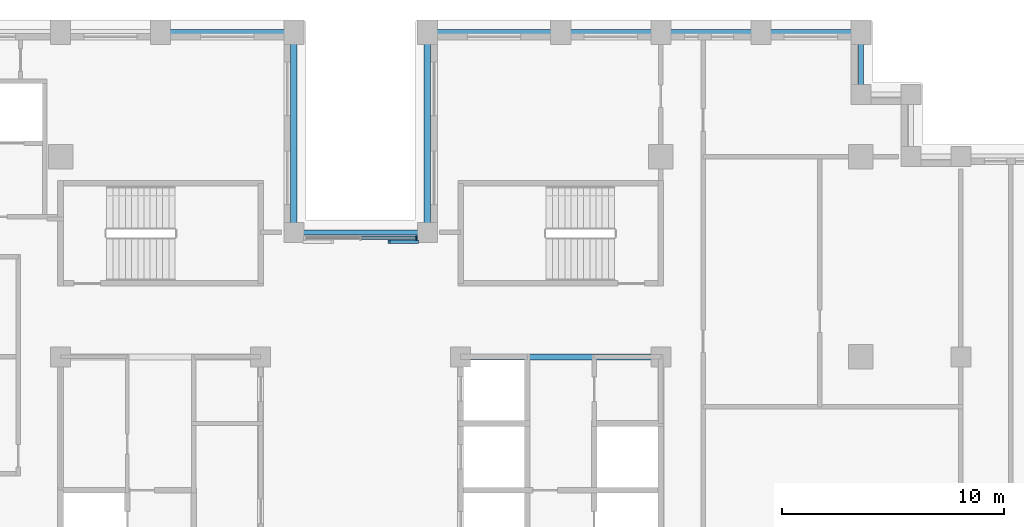
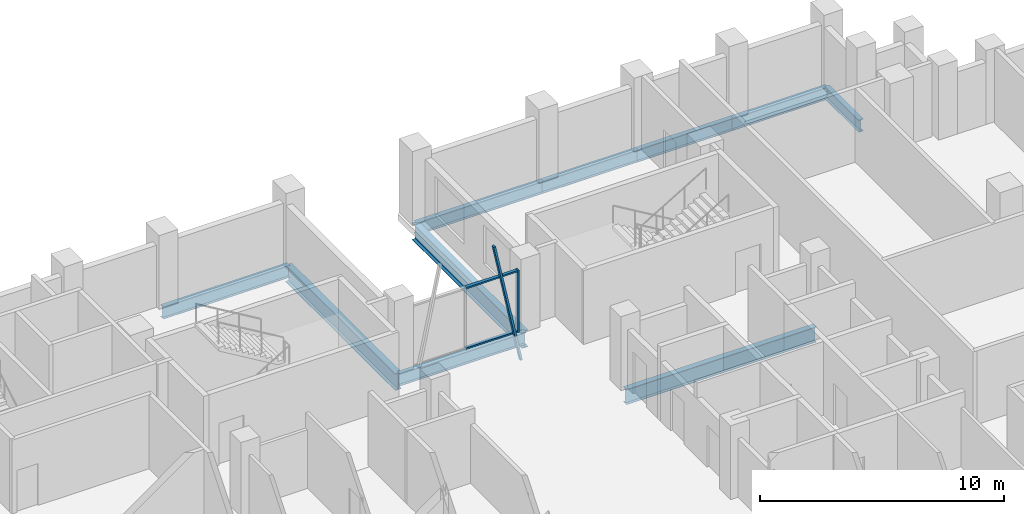
# One storey, part 4 of 16: 10 beams, 4 members, 1 element without a shape of its own.
"""IFC4 building model written with IfcOpenShell, lengths in metres."""

from ifc_helpers import new_model, si_unit, direction, frame, origin, origin_2d, place, context, subcontext, project, spatial, rectangle, i_section, extrude, material, layer, layer_set, material_profile, profile_set, type_object, element, aggregate, save


model = new_model("IFC4")

# Units and contexts
model_context = context("Model", 3, precision=1e-05, world=origin(), true_north=direction((0.0, 1.0)))
body_context = subcontext(model_context, "Body", "Model", "MODEL_VIEW")
ifc_project = project(units=[si_unit("LENGTHUNIT", "METRE"), si_unit("AREAUNIT", "SQUARE_METRE"), si_unit("VOLUMEUNIT", "CUBIC_METRE"), si_unit("PLANEANGLEUNIT", "RADIAN"), si_unit("MASSUNIT", "GRAM", prefix="KILO")], contexts=[model_context])

# Site, building, storey
site_placement = place(None, origin())
site = spatial("IfcSite", under=ifc_project, at=site_placement, CompositionType="ELEMENT")
building_placement = place(site_placement, origin())
building = spatial("IfcBuilding", under=site, at=building_placement, Name="Corbelhall Arena Tower", CompositionType="ELEMENT")
storey_placement = place(building_placement, frame((0.0, 0.0, 170.0)))
storey = spatial("IfcBuildingStorey", under=building, at=storey_placement, Name="L34", CompositionType="ELEMENT", Elevation=170.0)

# Curtain wall, members
ifc_material_1 = material(Name="Aluminium black anodised", Category="aluminium")
ifc_layer = layer(ifc_material_1, 0.199951171875)
ifc_layer_set = layer_set([ifc_layer], Name="EV-CW1 Slot back wall")
curtain_wall_type = type_object("IfcCurtainWallType", Name="EV-CW1 Slot back wall", PredefinedType="NOTDEFINED", material=ifc_layer_set)
curtain_wall_placement = place(storey_placement, origin())
curtain_wall = element("IfcCurtainWall", 1, at=curtain_wall_placement, inside=storey, type_object=curtain_wall_type, Name="Curtain wall CW1", PredefinedType="NOTDEFINED")
ifc_material_profile_1 = material_profile(ifc_material_1, rectangle(XDim=0.199951171875, YDim=0.074951171875, at=origin_2d()))
ifc_profile_set_1 = profile_set([ifc_material_profile_1], Name="Aluminium black anodised")
member_type_1 = type_object("IfcMemberType", Name="EV-CW1-MULLION", PredefinedType="MULLION", material=ifc_profile_set_1)
member_1_placement = place(storey_placement, frame((2.512451171875, 14.35009765625, 0.0), z_axis=(0.0, 0.0, 1.0), x_axis=(0.0, -1.0, 0.0)))
member_1 = element("IfcMember", 2, at=member_1_placement, type_object=member_type_1, Name="CW1 mullion 1", PredefinedType="MULLION", context=body_context, shape_type="SweptSolid", body=[
    extrude(rectangle(XDim=0.199951171875, YDim=0.074951171875, at=origin_2d()), origin(), (0.0, 0.0, 1.0), 3.10009765625),
])
ifc_material_profile_2 = material_profile(ifc_material_1, rectangle(XDim=0.14990234375, YDim=0.074951171875, at=origin_2d()))
ifc_profile_set_2 = profile_set([ifc_material_profile_2], Name="Aluminium black anodised")
member_type_2 = type_object("IfcMemberType", Name="EV-CW1-TRANSOM", PredefinedType="USERDEFINED", material=ifc_profile_set_2)
member_2_placement = place(storey_placement, frame((2.47509765625, 14.35009765625, 0.03759765625), z_axis=(-1.0, 0.0, 0.0), x_axis=(0.0, -1.0, 0.0)))
member_2 = element("IfcMember", 3, at=member_2_placement, type_object=member_type_2, Name="CW1 transom 1.1", ObjectType="transom", PredefinedType="USERDEFINED", context=body_context, shape_type="SweptSolid", body=[
    extrude(rectangle(XDim=0.14990234375, YDim=0.074951171875, at=origin_2d()), origin(), (0.0, 0.0, 1.0), 2.4375),
])
member_3_placement = place(storey_placement, frame((2.47509765625, 14.35009765625, 3.0625), z_axis=(-1.0, 0.0, 0.0), x_axis=(0.0, -1.0, 0.0)))
member_3 = element("IfcMember", 4, at=member_3_placement, type_object=member_type_2, Name="CW1 transom 1.2", ObjectType="transom", PredefinedType="USERDEFINED", context=body_context, shape_type="SweptSolid", body=[
    extrude(rectangle(XDim=0.14990234375, YDim=0.074951171875, at=origin_2d()), origin(), (0.0, 0.0, 1.0), 2.4375),
])
aggregate(curtain_wall, [member_1, member_2, member_3])

# Member
ifc_material_profile_3 = material_profile(ifc_material_1, rectangle(XDim=0.159912109375, YDim=0.10009765625, at=origin_2d()))
ifc_profile_set_3 = profile_set([ifc_material_profile_3], Name="Aluminium black anodised")
member_type_3 = type_object("IfcMemberType", Name="EV-TR1 Tracery bar", PredefinedType="USERDEFINED", material=ifc_profile_set_3)
member_4_placement = place(storey_placement, frame((2.550048828125, 14.169921875, -1.307373046875), z_axis=(-0.204144671158, 0.0, 0.978940730197), x_axis=(0.0, -1.0, 0.0)))
element("IfcMember", 5, at=member_4_placement, inside=storey, type_object=member_type_3, Name="Tracery bar", ObjectType="TRACERY", PredefinedType="USERDEFINED", context=body_context, shape_type="SweptSolid", body=[
    extrude(rectangle(XDim=0.159912109375, YDim=0.10009765625, at=origin_2d()), origin(), (0.0, 0.0, 1.0), 6.246337890625),
])

# Beams
ifc_material_2 = material(Name="Steel ASTM A992 Gr50", Category="steel")
ifc_material_profile_4 = material_profile(ifc_material_2, i_section(OverallWidth=0.2666015625, OverallDepth=0.761962890625, WebThickness=0.014404296875, FlangeThickness=0.021484375, at=origin_2d()))
ifc_profile_set_4 = profile_set([ifc_material_profile_4], Name="Steel ASTM A992 Gr50")
beam_type_1 = type_object("IfcBeamType", Name="ST-BEAM-W30x116", PredefinedType="BEAM", material=ifc_profile_set_4)
beam_1_placement = place(storey_placement, frame((4.5, 9.0, -0.680908203125), z_axis=(1.0, 0.0, 0.0), x_axis=(0.0, 1.0, 0.0)))
element("IfcBeam", 6, at=beam_1_placement, inside=storey, type_object=beam_type_1, Name="Beam CEE 12", PredefinedType="BEAM", context=body_context, shape_type="SweptSolid", body=[
    extrude(i_section(OverallWidth=0.2666015625, OverallDepth=0.761962890625, WebThickness=0.014404296875, FlangeThickness=0.021484375, at=origin_2d()), origin(), (0.0, 0.0, 1.0), 9.0),
])
ifc_material_profile_5 = material_profile(ifc_material_2, i_section(OverallWidth=0.22900390625, OverallDepth=0.612060546875, WebThickness=0.011962890625, FlangeThickness=0.01953125, at=origin_2d()))
ifc_profile_set_5 = profile_set([ifc_material_profile_5], Name="Steel ASTM A992 Gr50")
beam_type_2 = type_object("IfcBeamType", Name="ST-SPANDREL-W24x84", PredefinedType="SPANDREL", material=ifc_profile_set_5)
beam_2_placement = place(storey_placement, frame((3.0, 23.60009765625, -0.60595703125), z_axis=(1.0, 0.0, 0.0), x_axis=(0.0, 1.0, 0.0)))
element("IfcBeam", 7, at=beam_2_placement, inside=storey, type_object=beam_type_2, Name="Beam SP 17", PredefinedType="SPANDREL", context=body_context, shape_type="SweptSolid", body=[
    extrude(i_section(OverallWidth=0.22900390625, OverallDepth=0.612060546875, WebThickness=0.011962890625, FlangeThickness=0.01953125, at=origin_2d()), origin(), (0.0, 0.0, 1.0), 6.0),
])
for number, where, z_axis, x_axis, name in (
    (8, (9.0, 23.60009765625, -0.60595703125), (1.0, 0.0, 0.0), (0.0, 1.0, 0.0), "Beam SP 18"),
    (9, (13.5, 23.60009765625, -0.60595703125), (1.0, 0.0, 0.0), (0.0, 1.0, 0.0), "Beam SP 19"),
    (10, (18.0, 23.60009765625, -0.60595703125), (1.0, 0.0, 0.0), (0.0, 1.0, 0.0), "Beam SP 20"),
):
    element("IfcBeam", number, at=place(storey_placement, frame(where, z_axis=z_axis, x_axis=x_axis)), inside=storey, type_object=beam_type_2, Name=name, PredefinedType="SPANDREL", context=body_context, shape_type="SweptSolid", body=[
        extrude(i_section(OverallWidth=0.22900390625, OverallDepth=0.612060546875, WebThickness=0.011962890625, FlangeThickness=0.01953125, at=origin_2d()), origin(), (0.0, 0.0, 1.0), 4.5),
    ])
beam_3_placement = place(storey_placement, frame((22.5, 23.60009765625, -0.60595703125), z_axis=(0.0, -1.0, 0.0), x_axis=(1.0, 0.0, 0.0)))
element("IfcBeam", 11, at=beam_3_placement, inside=storey, type_object=beam_type_2, Name="Beam SP 21", PredefinedType="SPANDREL", context=body_context, shape_type="SweptSolid", body=[
    extrude(i_section(OverallWidth=0.22900390625, OverallDepth=0.612060546875, WebThickness=0.011962890625, FlangeThickness=0.01953125, at=origin_2d()), origin(), (0.0, 0.0, 1.0), 2.800048828125),
])
for number, where, z_axis, x_axis, name in (
    (12, (-9.0, 23.60009765625, -0.60595703125), (1.0, 0.0, 0.0), (0.0, 1.0, 0.0), "Beam SP 23"),
    (13, (-3.0, 14.60009765625, -0.60595703125), (1.0, 0.0, 0.0), (0.0, 1.0, 0.0), "Beam SP 40"),
):
    element("IfcBeam", number, at=place(storey_placement, frame(where, z_axis=z_axis, x_axis=x_axis)), inside=storey, type_object=beam_type_2, Name=name, PredefinedType="SPANDREL", context=body_context, shape_type="SweptSolid", body=[
        extrude(i_section(OverallWidth=0.22900390625, OverallDepth=0.612060546875, WebThickness=0.011962890625, FlangeThickness=0.01953125, at=origin_2d()), origin(), (0.0, 0.0, 1.0), 6.0),
    ])
ifc_material_profile_6 = material_profile(ifc_material_2, i_section(OverallWidth=0.2919921875, OverallDepth=0.845703125, WebThickness=0.015380859375, FlangeThickness=0.0244140625, at=origin_2d()))
ifc_profile_set_6 = profile_set([ifc_material_profile_6], Name="Steel ASTM A992 Gr50")
beam_type_3 = type_object("IfcBeamType", Name="ST-SPANDREL-W33x141", PredefinedType="SPANDREL", material=ifc_profile_set_6)
for number, where, z_axis, x_axis, name in (
    (14, (-3.0, 23.60009765625, -0.722900390625), (0.0, -1.0, 0.0), (1.0, 0.0, 0.0), "Beam SP 22"),
    (15, (3.0, 14.60009765625, -0.722900390625), (0.0, 1.0, 0.0), (-1.0, 0.0, 0.0), "Beam SP 39"),
):
    element("IfcBeam", number, at=place(storey_placement, frame(where, z_axis=z_axis, x_axis=x_axis)), inside=storey, type_object=beam_type_3, Name=name, PredefinedType="SPANDREL", context=body_context, shape_type="SweptSolid", body=[
        extrude(i_section(OverallWidth=0.2919921875, OverallDepth=0.845703125, WebThickness=0.015380859375, FlangeThickness=0.0244140625, at=origin_2d()), origin(), (0.0, 0.0, 1.0), 9.0),
    ])

save(model, "model.ifc")
